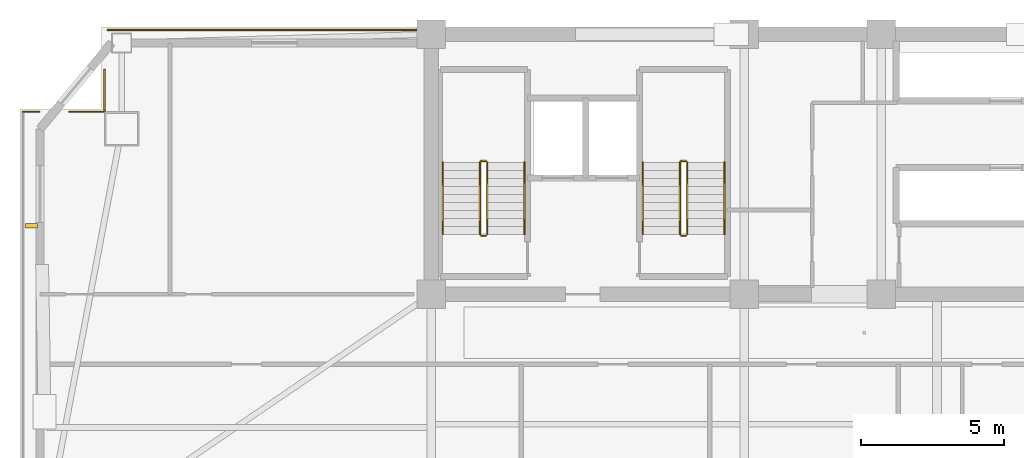
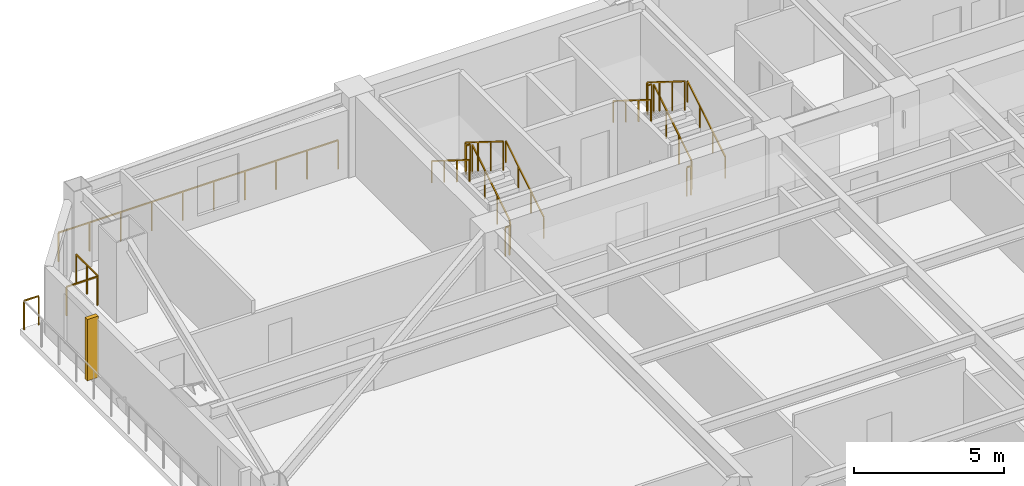
# One storey, part 14 of 15: 16 railings, 1 shading device.
"""IFC4 building model written with IfcOpenShell, lengths in metres."""

from ifc_helpers import new_model, si_unit, direction, frame, origin, origin_2d, place, context, subcontext, project, spatial, rectangle, extrude, source, transform, mapped, material, type_object, element, save


model = new_model("IFC4")

# Units and contexts
model_context = context("Model", 3, precision=1e-05, world=origin(), true_north=direction((0.0, 1.0)))
body_context = subcontext(model_context, "Body", "Model", "MODEL_VIEW")
ifc_project = project(units=[si_unit("LENGTHUNIT", "METRE"), si_unit("AREAUNIT", "SQUARE_METRE"), si_unit("VOLUMEUNIT", "CUBIC_METRE"), si_unit("PLANEANGLEUNIT", "RADIAN"), si_unit("MASSUNIT", "GRAM", prefix="KILO")], contexts=[model_context])

# Site, building, storey
site_placement = place(None, origin())
site = spatial("IfcSite", under=ifc_project, at=site_placement, CompositionType="ELEMENT")
building_placement = place(site_placement, origin())
building = spatial("IfcBuilding", under=site, at=building_placement, Name="Giltprow Tower", CompositionType="ELEMENT")
storey_placement = place(building_placement, frame((0.0, 0.0, 184.199951171875)))
storey = spatial("IfcBuildingStorey", under=building, at=storey_placement, Name="L46", CompositionType="ELEMENT", Elevation=184.199951171875)

# Railings
ifc_material = material(Name="Anodized bronze", Category="metal")
railing_type_1 = type_object("IfcRailingType", Name="RAIL-BALC-GUARD-1200", PredefinedType="BALUSTRADE", material=ifc_material)
railing_1_placement = place(storey_placement, frame((5.553955078125, 43.839111328125, 0.0)))
element("IfcRailing", 1, at=railing_1_placement, inside=storey, type_object=railing_type_1, Name="L46 Corner Apron Edge Balustrade 6", PredefinedType="BALUSTRADE", context=body_context, shape_type="SweptSolid", body=[
    extrude(rectangle(XDim=0.048095703125, YDim=0.048095703125, at=origin_2d()), frame((0.0, 0.0, 1.17578125), z_axis=(1.0, 0.0, 0.0), x_axis=(0.0, 1.0, 0.0)), (0.0, 0.0, 1.0), 0.567138671875),
    extrude(rectangle(XDim=0.0419921875, YDim=0.0419921875, at=origin_2d()), origin(), (0.0, 0.0, 1.0), 1.15185546875),
    extrude(rectangle(XDim=0.0419921875, YDim=0.0419921875, at=origin_2d()), frame((0.567138671875, 0.0, 0.0)), (0.0, 0.0, 1.0), 1.15185546875),
])
railing_2_placement = place(storey_placement, frame((7.18798828125, 43.839111328125, 0.0)))
element("IfcRailing", 2, at=railing_2_placement, inside=storey, type_object=railing_type_1, Name="L46 Corner Apron Edge Balustrade 7", PredefinedType="BALUSTRADE", context=body_context, shape_type="SweptSolid", body=[
    extrude(rectangle(XDim=0.048095703125, YDim=0.048095703125, at=origin_2d()), frame((0.0, 0.0, 1.17578125), z_axis=(1.0, 0.0, 0.0), x_axis=(0.0, 1.0, 0.0)), (0.0, 0.0, 1.0), 1.19189453125),
    extrude(rectangle(XDim=0.0419921875, YDim=0.0419921875, at=origin_2d()), origin(), (0.0, 0.0, 1.0), 1.15185546875),
    extrude(rectangle(XDim=0.0419921875, YDim=0.0419921875, at=origin_2d()), frame((1.19189453125, 0.0, 0.0)), (0.0, 0.0, 1.0), 1.15185546875),
])
railing_3_placement = place(storey_placement, frame((8.4150390625, 43.8740234375, 0.0)))
element("IfcRailing", 3, at=railing_3_placement, inside=storey, type_object=railing_type_1, Name="L46 Corner Apron Edge Balustrade 8", PredefinedType="BALUSTRADE", context=body_context, shape_type="SweptSolid", body=[
    extrude(rectangle(XDim=0.048095703125, YDim=0.048095703125, at=origin_2d()), frame((0.0, 0.0, 1.17578125), z_axis=(0.0, 1.0, 0.0), x_axis=(-1.0, 0.0, 0.0)), (0.0, 0.0, 1.0), 1.43603515625),
    extrude(rectangle(XDim=0.0419921875, YDim=0.0419921875, at=origin_2d()), origin(), (0.0, 0.0, 1.0), 1.15185546875),
    extrude(rectangle(XDim=0.0419921875, YDim=0.0419921875, at=origin_2d()), frame((0.0, 0.718017578125, 0.0)), (0.0, 0.0, 1.0), 1.15185546875),
    extrude(rectangle(XDim=0.0419921875, YDim=0.0419921875, at=origin_2d()), frame((0.0, 1.43603515625, 0.0)), (0.0, 0.0, 1.0), 1.15185546875),
])
railing_4_placement = place(storey_placement, frame((8.531005859375, 46.699951171875, 0.0)))
element("IfcRailing", 4, at=railing_4_placement, inside=storey, type_object=railing_type_1, Name="L46 Corner Apron Edge Balustrade 9", PredefinedType="BALUSTRADE", context=body_context, shape_type="SweptSolid", body=[
    extrude(rectangle(XDim=0.048095703125, YDim=0.048095703125, at=origin_2d()), frame((0.0, 0.0, 1.17578125), z_axis=(1.0, 0.0, 0.0), x_axis=(0.0, 1.0, 0.0)), (0.0, 0.0, 1.0), 10.783935546875),
    extrude(rectangle(XDim=0.0419921875, YDim=0.0419921875, at=origin_2d()), origin(), (0.0, 0.0, 1.0), 1.15185546875),
    extrude(rectangle(XDim=0.0419921875, YDim=0.0419921875, at=origin_2d()), frame((1.1982421875, 0.0, 0.0)), (0.0, 0.0, 1.0), 1.15185546875),
    extrude(rectangle(XDim=0.0419921875, YDim=0.0419921875, at=origin_2d()), frame((2.396484375, 0.0, 0.0)), (0.0, 0.0, 1.0), 1.15185546875),
    extrude(rectangle(XDim=0.0419921875, YDim=0.0419921875, at=origin_2d()), frame((3.5947265625, 0.0, 0.0)), (0.0, 0.0, 1.0), 1.15185546875),
    extrude(rectangle(XDim=0.0419921875, YDim=0.0419921875, at=origin_2d()), frame((4.79296875, 0.0, 0.0)), (0.0, 0.0, 1.0), 1.15185546875),
    extrude(rectangle(XDim=0.0419921875, YDim=0.0419921875, at=origin_2d()), frame((5.990966796875, 0.0, 0.0)), (0.0, 0.0, 1.0), 1.15185546875),
    extrude(rectangle(XDim=0.0419921875, YDim=0.0419921875, at=origin_2d()), frame((7.189208984375, 0.0, 0.0)), (0.0, 0.0, 1.0), 1.15185546875),
    extrude(rectangle(XDim=0.0419921875, YDim=0.0419921875, at=origin_2d()), frame((8.387451171875, 0.0, 0.0)), (0.0, 0.0, 1.0), 1.15185546875),
    extrude(rectangle(XDim=0.0419921875, YDim=0.0419921875, at=origin_2d()), frame((9.585693359375, 0.0, 0.0)), (0.0, 0.0, 1.0), 1.15185546875),
    extrude(rectangle(XDim=0.0419921875, YDim=0.0419921875, at=origin_2d()), frame((10.783935546875, 0.0, 0.0)), (0.0, 0.0, 1.0), 1.15185546875),
])
railing_type_2 = type_object("IfcRailingType", Name="RAIL-STAIR-GUARD-1200", PredefinedType="GUARDRAIL", material=ifc_material)
railing_5_placement = place(storey_placement, frame((21.81005859375, 39.550048828125, 0.175048828125)))
element("IfcRailing", 5, at=railing_5_placement, inside=storey, type_object=railing_type_2, Name="L46 ST-1 stair guard 1", PredefinedType="GUARDRAIL", context=body_context, shape_type="SweptSolid", body=[
    extrude(rectangle(XDim=0.048095703125, YDim=0.048095703125, at=origin_2d()), frame((0.0, 0.0, 1.17578125), z_axis=(0.0, 0.848007534815, 0.529984170421), x_axis=(-1.0, 0.0, 0.0)), (0.0, 0.0, 1.0), 2.9716796875),
    extrude(rectangle(XDim=0.0419921875, YDim=0.0419921875, at=origin_2d()), origin(), (0.0, 0.0, 1.0), 1.15185546875),
    extrude(rectangle(XDim=0.0419921875, YDim=0.0419921875, at=origin_2d()), frame((0.0, 0.840087890625, 0.52490234375)), (0.0, 0.0, 1.0), 1.15185546875),
    extrude(rectangle(XDim=0.0419921875, YDim=0.0419921875, at=origin_2d()), frame((0.0, 1.679931640625, 1.050048828125)), (0.0, 0.0, 1.0), 1.15185546875),
    extrude(rectangle(XDim=0.0419921875, YDim=0.0419921875, at=origin_2d()), frame((0.0, 2.52001953125, 1.574951171875)), (0.0, 0.0, 1.0), 1.15185546875),
])
railing_6_placement = place(storey_placement, frame((21.760009765625, 42.1201171875, 1.75)))
element("IfcRailing", 6, at=railing_6_placement, inside=storey, type_object=railing_type_2, Name="L46 ST-1 stair guard 2", PredefinedType="GUARDRAIL", context=body_context, shape_type="SweptSolid", body=[
    extrude(rectangle(XDim=0.048095703125, YDim=0.048095703125, at=origin_2d()), frame((0.0, 0.0, 1.17578125), z_axis=(-1.0, 0.0, 0.0), x_axis=(0.0, -1.0, 0.0)), (0.0, 0.0, 1.0), 0.159912109375),
    extrude(rectangle(XDim=0.0419921875, YDim=0.0419921875, at=origin_2d()), origin(), (0.0, 0.0, 1.0), 1.15185546875),
    extrude(rectangle(XDim=0.0419921875, YDim=0.0419921875, at=origin_2d()), frame((-0.159912109375, 0.0, 0.0)), (0.0, 0.0, 1.0), 1.15185546875),
])
railing_7_placement = place(storey_placement, frame((21.550048828125, 42.070068359375, 1.925048828125)))
element("IfcRailing", 7, at=railing_7_placement, inside=storey, type_object=railing_type_2, Name="L46 ST-1 stair guard 3", PredefinedType="GUARDRAIL", context=body_context, shape_type="SweptSolid", body=[
    extrude(rectangle(XDim=0.048095703125, YDim=0.048095703125, at=origin_2d()), frame((0.0, 0.0, 1.17578125), z_axis=(0.0, -0.848007534815, 0.529984170421), x_axis=(1.0, 0.0, 0.0)), (0.0, 0.0, 1.0), 2.9716796875),
    extrude(rectangle(XDim=0.0419921875, YDim=0.0419921875, at=origin_2d()), origin(), (0.0, 0.0, 1.0), 1.15185546875),
    extrude(rectangle(XDim=0.0419921875, YDim=0.0419921875, at=origin_2d()), frame((0.0, -0.840087890625, 0.52490234375)), (0.0, 0.0, 1.0), 1.15185546875),
    extrude(rectangle(XDim=0.0419921875, YDim=0.0419921875, at=origin_2d()), frame((0.0, -1.679931640625, 1.050048828125)), (0.0, 0.0, 1.0), 1.15185546875),
    extrude(rectangle(XDim=0.0419921875, YDim=0.0419921875, at=origin_2d()), frame((0.0, -2.52001953125, 1.574951171875)), (0.0, 0.0, 1.0), 1.15185546875),
])
railing_8_placement = place(storey_placement, frame((21.760009765625, 39.5, 0.0)))
element("IfcRailing", 8, at=railing_8_placement, inside=storey, type_object=railing_type_2, Name="L46 ST-1 stair guard 4", PredefinedType="GUARDRAIL", context=body_context, shape_type="SweptSolid", body=[
    extrude(rectangle(XDim=0.048095703125, YDim=0.048095703125, at=origin_2d()), frame((0.0, 0.0, 1.17578125), z_axis=(-1.0, 0.0, 0.0), x_axis=(0.0, -1.0, 0.0)), (0.0, 0.0, 1.0), 0.159912109375),
    extrude(rectangle(XDim=0.0419921875, YDim=0.0419921875, at=origin_2d()), origin(), (0.0, 0.0, 1.0), 1.15185546875),
    extrude(rectangle(XDim=0.0419921875, YDim=0.0419921875, at=origin_2d()), frame((-0.159912109375, 0.0, 0.0)), (0.0, 0.0, 1.0), 1.15185546875),
])
railing_9_placement = place(storey_placement, frame((28.81005859375, 39.550048828125, 0.175048828125)))
element("IfcRailing", 9, at=railing_9_placement, inside=storey, type_object=railing_type_2, Name="L46 ST-2 stair guard 1", PredefinedType="GUARDRAIL", context=body_context, shape_type="SweptSolid", body=[
    extrude(rectangle(XDim=0.048095703125, YDim=0.048095703125, at=origin_2d()), frame((0.0, 0.0, 1.17578125), z_axis=(0.0, 0.848007534815, 0.529984170421), x_axis=(-1.0, 0.0, 0.0)), (0.0, 0.0, 1.0), 2.9716796875),
    extrude(rectangle(XDim=0.0419921875, YDim=0.0419921875, at=origin_2d()), origin(), (0.0, 0.0, 1.0), 1.15185546875),
    extrude(rectangle(XDim=0.0419921875, YDim=0.0419921875, at=origin_2d()), frame((0.0, 0.840087890625, 0.52490234375)), (0.0, 0.0, 1.0), 1.15185546875),
    extrude(rectangle(XDim=0.0419921875, YDim=0.0419921875, at=origin_2d()), frame((0.0, 1.679931640625, 1.050048828125)), (0.0, 0.0, 1.0), 1.15185546875),
    extrude(rectangle(XDim=0.0419921875, YDim=0.0419921875, at=origin_2d()), frame((0.0, 2.52001953125, 1.574951171875)), (0.0, 0.0, 1.0), 1.15185546875),
])
railing_10_placement = place(storey_placement, frame((28.760009765625, 42.1201171875, 1.75)))
element("IfcRailing", 10, at=railing_10_placement, inside=storey, type_object=railing_type_2, Name="L46 ST-2 stair guard 2", PredefinedType="GUARDRAIL", context=body_context, shape_type="SweptSolid", body=[
    extrude(rectangle(XDim=0.048095703125, YDim=0.048095703125, at=origin_2d()), frame((0.0, 0.0, 1.17578125), z_axis=(-1.0, 0.0, 0.0), x_axis=(0.0, -1.0, 0.0)), (0.0, 0.0, 1.0), 0.159912109375),
    extrude(rectangle(XDim=0.0419921875, YDim=0.0419921875, at=origin_2d()), origin(), (0.0, 0.0, 1.0), 1.15185546875),
    extrude(rectangle(XDim=0.0419921875, YDim=0.0419921875, at=origin_2d()), frame((-0.159912109375, 0.0, 0.0)), (0.0, 0.0, 1.0), 1.15185546875),
])
railing_11_placement = place(storey_placement, frame((28.550048828125, 42.070068359375, 1.925048828125)))
element("IfcRailing", 11, at=railing_11_placement, inside=storey, type_object=railing_type_2, Name="L46 ST-2 stair guard 3", PredefinedType="GUARDRAIL", context=body_context, shape_type="SweptSolid", body=[
    extrude(rectangle(XDim=0.048095703125, YDim=0.048095703125, at=origin_2d()), frame((0.0, 0.0, 1.17578125), z_axis=(0.0, -0.848007534815, 0.529984170421), x_axis=(1.0, 0.0, 0.0)), (0.0, 0.0, 1.0), 2.9716796875),
    extrude(rectangle(XDim=0.0419921875, YDim=0.0419921875, at=origin_2d()), origin(), (0.0, 0.0, 1.0), 1.15185546875),
    extrude(rectangle(XDim=0.0419921875, YDim=0.0419921875, at=origin_2d()), frame((0.0, -0.840087890625, 0.52490234375)), (0.0, 0.0, 1.0), 1.15185546875),
    extrude(rectangle(XDim=0.0419921875, YDim=0.0419921875, at=origin_2d()), frame((0.0, -1.679931640625, 1.050048828125)), (0.0, 0.0, 1.0), 1.15185546875),
    extrude(rectangle(XDim=0.0419921875, YDim=0.0419921875, at=origin_2d()), frame((0.0, -2.52001953125, 1.574951171875)), (0.0, 0.0, 1.0), 1.15185546875),
])
railing_12_placement = place(storey_placement, frame((28.760009765625, 39.5, 0.0)))
element("IfcRailing", 12, at=railing_12_placement, inside=storey, type_object=railing_type_2, Name="L46 ST-2 stair guard 4", PredefinedType="GUARDRAIL", context=body_context, shape_type="SweptSolid", body=[
    extrude(rectangle(XDim=0.048095703125, YDim=0.048095703125, at=origin_2d()), frame((0.0, 0.0, 1.17578125), z_axis=(-1.0, 0.0, 0.0), x_axis=(0.0, -1.0, 0.0)), (0.0, 0.0, 1.0), 0.159912109375),
    extrude(rectangle(XDim=0.0419921875, YDim=0.0419921875, at=origin_2d()), origin(), (0.0, 0.0, 1.0), 1.15185546875),
    extrude(rectangle(XDim=0.0419921875, YDim=0.0419921875, at=origin_2d()), frame((-0.159912109375, 0.0, 0.0)), (0.0, 0.0, 1.0), 1.15185546875),
])
railing_type_3 = type_object("IfcRailingType", Name="RAIL-STAIR-HAND-900", PredefinedType="HANDRAIL", material=ifc_material)
railing_13_placement = place(storey_placement, frame((23.110107421875, 39.550048828125, 0.175048828125)))
element("IfcRailing", 13, at=railing_13_placement, inside=storey, type_object=railing_type_3, Name="L46 ST-1 stair handrail 1", PredefinedType="HANDRAIL", context=body_context, shape_type="SweptSolid", body=[
    extrude(rectangle(XDim=0.048095703125, YDim=0.048095703125, at=origin_2d()), frame((0.0, 0.0, 0.8759765625), z_axis=(0.0, 0.848007534815, 0.529984170421), x_axis=(-1.0, 0.0, 0.0)), (0.0, 0.0, 1.0), 2.9716796875),
    extrude(rectangle(XDim=0.0419921875, YDim=0.0419921875, at=origin_2d()), origin(), (0.0, 0.0, 1.0), 0.851806640625),
    extrude(rectangle(XDim=0.0419921875, YDim=0.0419921875, at=origin_2d()), frame((0.0, 0.840087890625, 0.52490234375)), (0.0, 0.0, 1.0), 0.851806640625),
    extrude(rectangle(XDim=0.0419921875, YDim=0.0419921875, at=origin_2d()), frame((0.0, 1.679931640625, 1.050048828125)), (0.0, 0.0, 1.0), 0.851806640625),
    extrude(rectangle(XDim=0.0419921875, YDim=0.0419921875, at=origin_2d()), frame((0.0, 2.52001953125, 1.574951171875)), (0.0, 0.0, 1.0), 0.851806640625),
])
railing_14_placement = place(storey_placement, frame((20.25, 42.070068359375, 1.925048828125)))
element("IfcRailing", 14, at=railing_14_placement, inside=storey, type_object=railing_type_3, Name="L46 ST-1 stair handrail 2", PredefinedType="HANDRAIL", context=body_context, shape_type="SweptSolid", body=[
    extrude(rectangle(XDim=0.048095703125, YDim=0.048095703125, at=origin_2d()), frame((0.0, 0.0, 0.8759765625), z_axis=(0.0, -0.848007534815, 0.529984170421), x_axis=(1.0, 0.0, 0.0)), (0.0, 0.0, 1.0), 2.9716796875),
    extrude(rectangle(XDim=0.0419921875, YDim=0.0419921875, at=origin_2d()), origin(), (0.0, 0.0, 1.0), 0.851806640625),
    extrude(rectangle(XDim=0.0419921875, YDim=0.0419921875, at=origin_2d()), frame((0.0, -0.840087890625, 0.52490234375)), (0.0, 0.0, 1.0), 0.851806640625),
    extrude(rectangle(XDim=0.0419921875, YDim=0.0419921875, at=origin_2d()), frame((0.0, -1.679931640625, 1.050048828125)), (0.0, 0.0, 1.0), 0.851806640625),
    extrude(rectangle(XDim=0.0419921875, YDim=0.0419921875, at=origin_2d()), frame((0.0, -2.52001953125, 1.574951171875)), (0.0, 0.0, 1.0), 0.851806640625),
])
railing_15_placement = place(storey_placement, frame((30.110107421875, 39.550048828125, 0.175048828125)))
element("IfcRailing", 15, at=railing_15_placement, inside=storey, type_object=railing_type_3, Name="L46 ST-2 stair handrail 1", PredefinedType="HANDRAIL", context=body_context, shape_type="SweptSolid", body=[
    extrude(rectangle(XDim=0.048095703125, YDim=0.048095703125, at=origin_2d()), frame((0.0, 0.0, 0.8759765625), z_axis=(0.0, 0.848007534815, 0.529984170421), x_axis=(-1.0, 0.0, 0.0)), (0.0, 0.0, 1.0), 2.9716796875),
    extrude(rectangle(XDim=0.0419921875, YDim=0.0419921875, at=origin_2d()), origin(), (0.0, 0.0, 1.0), 0.851806640625),
    extrude(rectangle(XDim=0.0419921875, YDim=0.0419921875, at=origin_2d()), frame((0.0, 0.840087890625, 0.52490234375)), (0.0, 0.0, 1.0), 0.851806640625),
    extrude(rectangle(XDim=0.0419921875, YDim=0.0419921875, at=origin_2d()), frame((0.0, 1.679931640625, 1.050048828125)), (0.0, 0.0, 1.0), 0.851806640625),
    extrude(rectangle(XDim=0.0419921875, YDim=0.0419921875, at=origin_2d()), frame((0.0, 2.52001953125, 1.574951171875)), (0.0, 0.0, 1.0), 0.851806640625),
])
railing_16_placement = place(storey_placement, frame((27.25, 42.070068359375, 1.925048828125)))
element("IfcRailing", 16, at=railing_16_placement, inside=storey, type_object=railing_type_3, Name="L46 ST-2 stair handrail 2", PredefinedType="HANDRAIL", context=body_context, shape_type="SweptSolid", body=[
    extrude(rectangle(XDim=0.048095703125, YDim=0.048095703125, at=origin_2d()), frame((0.0, 0.0, 0.8759765625), z_axis=(0.0, -0.848007534815, 0.529984170421), x_axis=(1.0, 0.0, 0.0)), (0.0, 0.0, 1.0), 2.9716796875),
    extrude(rectangle(XDim=0.0419921875, YDim=0.0419921875, at=origin_2d()), origin(), (0.0, 0.0, 1.0), 0.851806640625),
    extrude(rectangle(XDim=0.0419921875, YDim=0.0419921875, at=origin_2d()), frame((0.0, -0.840087890625, 0.52490234375)), (0.0, 0.0, 1.0), 0.851806640625),
    extrude(rectangle(XDim=0.0419921875, YDim=0.0419921875, at=origin_2d()), frame((0.0, -1.679931640625, 1.050048828125)), (0.0, 0.0, 1.0), 0.851806640625),
    extrude(rectangle(XDim=0.0419921875, YDim=0.0419921875, at=origin_2d()), frame((0.0, -2.52001953125, 1.574951171875)), (0.0, 0.0, 1.0), 0.851806640625),
])

# Shading device
shading_device_type = type_object("IfcShadingDeviceType", Name="SHD-FIN-420", PredefinedType="USERDEFINED", material=ifc_material)
shared_shape = source(origin(), body_context, "Body", "SweptSolid", [
    extrude(rectangle(XDim=0.419921875, YDim=0.159912109375, at=origin_2d()), origin(), (0.0, 0.0, 1.0), 2.5),
])
shading_device_placement = place(storey_placement, frame((5.85400390625, 39.843994140625, 0.35009765625), z_axis=(0.0, 0.0, 1.0), x_axis=(1.0, 0.0, 0.0)))
element("IfcShadingDevice", 17, at=shading_device_placement, inside=storey, type_object=shading_device_type, Name="L46 W Bronze Vertical Fin 2-2", ObjectType="FIN", PredefinedType="USERDEFINED", context=body_context, shape_type="MappedRepresentation", body=[
    mapped(shared_shape, transform((0.0, 0.0, 0.0), x_axis=(1.0, 0.0, 0.0), y_axis=(0.0, 1.0, 0.0), z_axis=(0.0, 0.0, 1.0), scale=1.0)),
])

save(model, "model.ifc")
